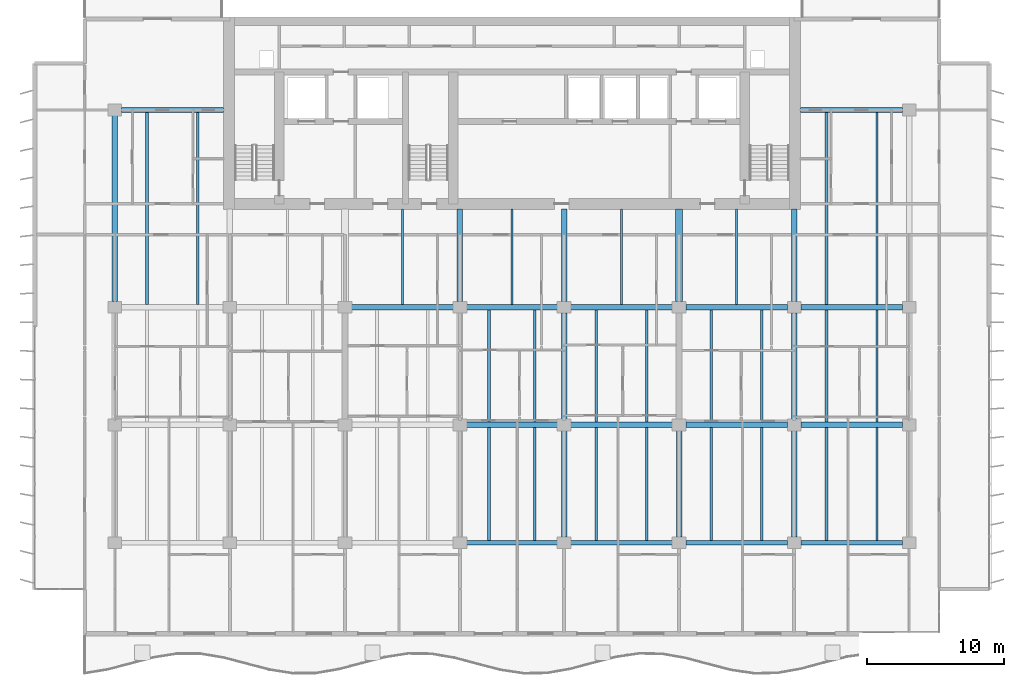
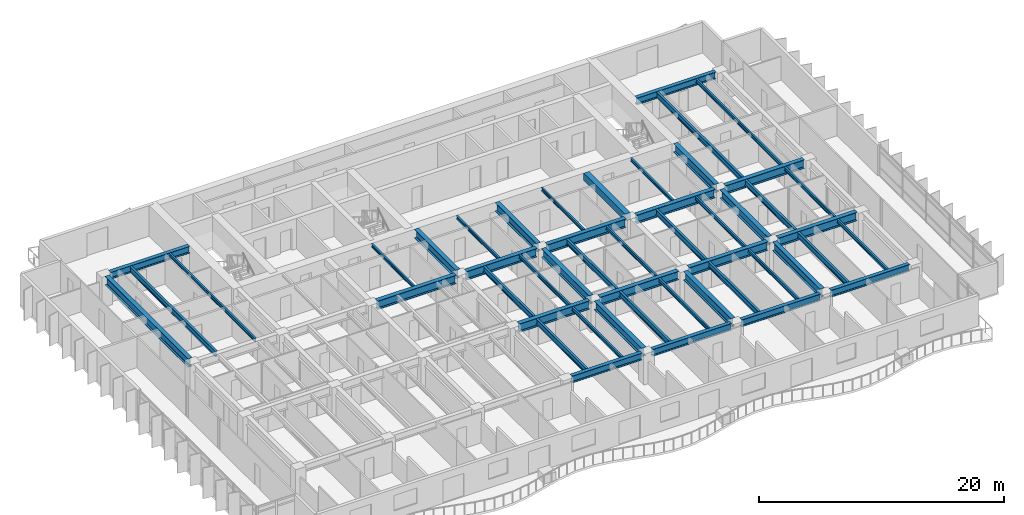
# One storey, part 3 of 18: 49 beams.
"""IFC4 building model written with IfcOpenShell, lengths in metres."""

from ifc_helpers import new_model, si_unit, direction, frame, origin, origin_2d, place, context, subcontext, project, spatial, rectangle, i_section, extrude, material, material_profile, profile_set, type_object, element, save


model = new_model("IFC4")

# Units and contexts
model_context = context("Model", 3, precision=1e-05, world=origin(), true_north=direction((0.0, 1.0)))
body_context = subcontext(model_context, "Body", "Model", "MODEL_VIEW")
ifc_project = project(units=[si_unit("LENGTHUNIT", "METRE"), si_unit("AREAUNIT", "SQUARE_METRE"), si_unit("VOLUMEUNIT", "CUBIC_METRE"), si_unit("PLANEANGLEUNIT", "RADIAN"), si_unit("MASSUNIT", "GRAM", prefix="KILO")], contexts=[model_context])

# Site, building, storey
site_placement = place(None, origin())
site = spatial("IfcSite", under=ifc_project, at=site_placement, CompositionType="ELEMENT")
building_placement = place(site_placement, origin())
building = spatial("IfcBuilding", under=site, at=building_placement, Name="Caelmar Bay Residences", CompositionType="ELEMENT")
storey_placement = place(building_placement, frame((0.0, 0.0, 125.699951171875)))
storey = spatial("IfcBuildingStorey", under=building, at=storey_placement, Name="L34", CompositionType="ELEMENT", Elevation=125.699951171875)

# Beams
ifc_material_1 = material(Name="Steel ASTM A992 Grade 50", Category="steel")
ifc_material_profile_1 = material_profile(ifc_material_1, i_section(OverallWidth=0.40087890625, OverallDepth=0.861083984375, WebThickness=0.019775390625, FlangeThickness=0.032470703125, FilletRadius=0.017822265625, at=origin_2d()), Name="W33X221")
ifc_profile_set_1 = profile_set([ifc_material_profile_1], Name="Steel ASTM A992 Grade 50")
beam_type_1 = type_object("IfcBeamType", Name="BM-GRD-W33X221", PredefinedType="BEAM", material=ifc_profile_set_1)
beam_1_placement = place(storey_placement, frame((35.590087890625, 20.800048828125, 2.61962890625), z_axis=(1.0, 0.0, 0.0), x_axis=(0.0, 1.0, 0.0)))
element("IfcBeam", 1, at=beam_1_placement, inside=storey, type_object=beam_type_1, Name="L34 East-West Girder Y=20.80 (35.1-42.7)", PredefinedType="BEAM", context=body_context, shape_type="SweptSolid", body=[
    extrude(i_section(OverallWidth=0.40087890625, OverallDepth=0.861083984375, WebThickness=0.019775390625, FlangeThickness=0.032470703125, FilletRadius=0.017822265625, at=origin_2d()), origin(), (0.0, 0.0, 1.0), 6.619873046875),
])
beam_2_placement = place(storey_placement, frame((43.18994140625, 20.800048828125, 2.61962890625), z_axis=(1.0, 0.0, 0.0), x_axis=(0.0, 1.0, 0.0)))
element("IfcBeam", 2, at=beam_2_placement, inside=storey, type_object=beam_type_1, Name="L34 East-West Girder Y=20.80 (42.7-51.1)", PredefinedType="BEAM", context=body_context, shape_type="SweptSolid", body=[
    extrude(i_section(OverallWidth=0.40087890625, OverallDepth=0.861083984375, WebThickness=0.019775390625, FlangeThickness=0.032470703125, FilletRadius=0.017822265625, at=origin_2d()), origin(), (0.0, 0.0, 1.0), 7.420166015625),
])
for number, where, z_axis, x_axis, name in (
    (3, (51.590087890625, 20.800048828125, 2.61962890625), (1.0, 0.0, 0.0), (0.0, 1.0, 0.0), "L34 East-West Girder Y=20.80 (51.1-59.5)"),
    (4, (59.989990234375, 20.800048828125, 2.61962890625), (1.0, 0.0, 0.0), (0.0, 1.0, 0.0), "L34 East-West Girder Y=20.80 (59.5-67.9)"),
):
    element("IfcBeam", number, at=place(storey_placement, frame(where, z_axis=z_axis, x_axis=x_axis)), inside=storey, type_object=beam_type_1, Name=name, PredefinedType="BEAM", context=body_context, shape_type="SweptSolid", body=[
        extrude(i_section(OverallWidth=0.40087890625, OverallDepth=0.861083984375, WebThickness=0.019775390625, FlangeThickness=0.032470703125, FilletRadius=0.017822265625, at=origin_2d()), origin(), (0.0, 0.0, 1.0), 7.419921875),
    ])
beam_3_placement = place(storey_placement, frame((27.18994140625, 29.39990234375, 2.61962890625), z_axis=(1.0, 0.0, 0.0), x_axis=(0.0, 1.0, 0.0)))
element("IfcBeam", 5, at=beam_3_placement, inside=storey, type_object=beam_type_1, Name="L34 East-West Girder Y=29.40 (26.7-35.1)", PredefinedType="BEAM", context=body_context, shape_type="SweptSolid", body=[
    extrude(i_section(OverallWidth=0.40087890625, OverallDepth=0.861083984375, WebThickness=0.019775390625, FlangeThickness=0.032470703125, FilletRadius=0.017822265625, at=origin_2d()), origin(), (0.0, 0.0, 1.0), 7.420166015625),
])
beam_4_placement = place(storey_placement, frame((35.590087890625, 29.39990234375, 2.61962890625), z_axis=(1.0, 0.0, 0.0), x_axis=(0.0, 1.0, 0.0)))
element("IfcBeam", 6, at=beam_4_placement, inside=storey, type_object=beam_type_1, Name="L34 East-West Girder Y=29.40 (35.1-42.7)", PredefinedType="BEAM", context=body_context, shape_type="SweptSolid", body=[
    extrude(i_section(OverallWidth=0.40087890625, OverallDepth=0.861083984375, WebThickness=0.019775390625, FlangeThickness=0.032470703125, FilletRadius=0.017822265625, at=origin_2d()), origin(), (0.0, 0.0, 1.0), 6.619873046875),
])
beam_5_placement = place(storey_placement, frame((43.18994140625, 29.39990234375, 2.61962890625), z_axis=(1.0, 0.0, 0.0), x_axis=(0.0, 1.0, 0.0)))
element("IfcBeam", 7, at=beam_5_placement, inside=storey, type_object=beam_type_1, Name="L34 East-West Girder Y=29.40 (42.7-51.1)", PredefinedType="BEAM", context=body_context, shape_type="SweptSolid", body=[
    extrude(i_section(OverallWidth=0.40087890625, OverallDepth=0.861083984375, WebThickness=0.019775390625, FlangeThickness=0.032470703125, FilletRadius=0.017822265625, at=origin_2d()), origin(), (0.0, 0.0, 1.0), 7.420166015625),
])
for number, where, z_axis, x_axis, name in (
    (8, (51.590087890625, 29.39990234375, 2.61962890625), (1.0, 0.0, 0.0), (0.0, 1.0, 0.0), "L34 East-West Girder Y=29.40 (51.1-59.5)"),
    (9, (59.989990234375, 29.39990234375, 2.61962890625), (1.0, 0.0, 0.0), (0.0, 1.0, 0.0), "L34 East-West Girder Y=29.40 (59.5-67.9)"),
):
    element("IfcBeam", number, at=place(storey_placement, frame(where, z_axis=z_axis, x_axis=x_axis)), inside=storey, type_object=beam_type_1, Name=name, PredefinedType="BEAM", context=body_context, shape_type="SweptSolid", body=[
        extrude(i_section(OverallWidth=0.40087890625, OverallDepth=0.861083984375, WebThickness=0.019775390625, FlangeThickness=0.032470703125, FilletRadius=0.017822265625, at=origin_2d()), origin(), (0.0, 0.0, 1.0), 7.419921875),
    ])
beam_6_placement = place(storey_placement, frame((9.89990234375, 29.81494140625, 2.61962890625), z_axis=(0.0, 1.0, 0.0), x_axis=(-1.0, 0.0, 0.0)))
element("IfcBeam", 10, at=beam_6_placement, inside=storey, type_object=beam_type_1, Name="L34 North-South Girder X=9.90 (29.4-43.8)", PredefinedType="BEAM", context=body_context, shape_type="SweptSolid", body=[
    extrude(i_section(OverallWidth=0.40087890625, OverallDepth=0.861083984375, WebThickness=0.019775390625, FlangeThickness=0.032470703125, FilletRadius=0.017822265625, at=origin_2d()), origin(), (0.0, 0.0, 1.0), 13.570068359375),
])
for number, where, z_axis, x_axis, name in (
    (11, (35.10009765625, 29.81494140625, 2.61962890625), (0.0, 1.0, 0.0), (-1.0, 0.0, 0.0), "L34 Core Tie Girder X=35.10"),
    (12, (42.699951171875, 29.81494140625, 2.61962890625), (0.0, 1.0, 0.0), (-1.0, 0.0, 0.0), "L34 Core Tie Girder X=42.70"),
):
    element("IfcBeam", number, at=place(storey_placement, frame(where, z_axis=z_axis, x_axis=x_axis)), inside=storey, type_object=beam_type_1, Name=name, PredefinedType="BEAM", context=body_context, shape_type="SweptSolid", body=[
        extrude(i_section(OverallWidth=0.40087890625, OverallDepth=0.861083984375, WebThickness=0.019775390625, FlangeThickness=0.032470703125, FilletRadius=0.017822265625, at=origin_2d()), origin(), (0.0, 0.0, 1.0), 6.735107421875),
    ])
for number, where, z_axis, x_axis, name in (
    (13, (42.699951171875, 12.614990234375, 2.61962890625), (0.0, 1.0, 0.0), (-1.0, 0.0, 0.0), "L34 North-South Girder X=42.70 (12.2-20.8)"),
    (14, (42.699951171875, 21.215087890625, 2.61962890625), (0.0, 1.0, 0.0), (-1.0, 0.0, 0.0), "L34 North-South Girder X=42.70 (20.8-29.4)"),
    (15, (51.10009765625, 12.614990234375, 2.61962890625), (0.0, 1.0, 0.0), (-1.0, 0.0, 0.0), "L34 North-South Girder X=51.10 (12.2-20.8)"),
):
    element("IfcBeam", number, at=place(storey_placement, frame(where, z_axis=z_axis, x_axis=x_axis)), inside=storey, type_object=beam_type_1, Name=name, PredefinedType="BEAM", context=body_context, shape_type="SweptSolid", body=[
        extrude(i_section(OverallWidth=0.40087890625, OverallDepth=0.861083984375, WebThickness=0.019775390625, FlangeThickness=0.032470703125, FilletRadius=0.017822265625, at=origin_2d()), origin(), (0.0, 0.0, 1.0), 7.77001953125),
    ])
beam_7_placement = place(storey_placement, frame((59.5, 29.81494140625, 2.61962890625), z_axis=(0.0, 1.0, 0.0), x_axis=(-1.0, 0.0, 0.0)))
element("IfcBeam", 16, at=beam_7_placement, inside=storey, type_object=beam_type_1, Name="L34 Core Tie Girder X=59.50", PredefinedType="BEAM", context=body_context, shape_type="SweptSolid", body=[
    extrude(i_section(OverallWidth=0.40087890625, OverallDepth=0.861083984375, WebThickness=0.019775390625, FlangeThickness=0.032470703125, FilletRadius=0.017822265625, at=origin_2d()), origin(), (0.0, 0.0, 1.0), 6.735107421875),
])
for number, where, z_axis, x_axis, name in (
    (17, (59.5, 12.614990234375, 2.61962890625), (0.0, 1.0, 0.0), (-1.0, 0.0, 0.0), "L34 North-South Girder X=59.50 (12.2-20.8)"),
    (18, (59.5, 21.215087890625, 2.61962890625), (0.0, 1.0, 0.0), (-1.0, 0.0, 0.0), "L34 North-South Girder X=59.50 (20.8-29.4)"),
):
    element("IfcBeam", number, at=place(storey_placement, frame(where, z_axis=z_axis, x_axis=x_axis)), inside=storey, type_object=beam_type_1, Name=name, PredefinedType="BEAM", context=body_context, shape_type="SweptSolid", body=[
        extrude(i_section(OverallWidth=0.40087890625, OverallDepth=0.861083984375, WebThickness=0.019775390625, FlangeThickness=0.032470703125, FilletRadius=0.017822265625, at=origin_2d()), origin(), (0.0, 0.0, 1.0), 7.77001953125),
    ])
ifc_material_profile_2 = material_profile(ifc_material_1, i_section(OverallWidth=0.1650390625, OverallDepth=0.31005859375, WebThickness=0.005859375, FlangeThickness=0.009765625, FilletRadius=0.007568359375, at=origin_2d()), Name="W12X26")
ifc_profile_set_2 = profile_set([ifc_material_profile_2], Name="Steel ASTM A992 Grade 50")
beam_type_2 = type_object("IfcBeamType", Name="BM-JST-W12X26", PredefinedType="JOIST", material=ifc_profile_set_2)
for number, where, z_axis, x_axis, name in (
    (19, (30.89990234375, 29.6005859375, 2.89501953125), (0.0, 1.0, 0.0), (-1.0, 0.0, 0.0), "L34 Core-Band Composite Joist 30"),
    (20, (38.89990234375, 29.6005859375, 2.89501953125), (0.0, 1.0, 0.0), (-1.0, 0.0, 0.0), "L34 Core-Band Composite Joist 31"),
    (21, (46.89990234375, 29.6005859375, 2.89501953125), (0.0, 1.0, 0.0), (-1.0, 0.0, 0.0), "L34 Core-Band Composite Joist 32"),
    (22, (55.300048828125, 29.6005859375, 2.89501953125), (0.0, 1.0, 0.0), (-1.0, 0.0, 0.0), "L34 Core-Band Composite Joist 33"),
):
    element("IfcBeam", number, at=place(storey_placement, frame(where, z_axis=z_axis, x_axis=x_axis)), inside=storey, type_object=beam_type_2, Name=name, PredefinedType="JOIST", context=body_context, shape_type="SweptSolid", body=[
        extrude(i_section(OverallWidth=0.1650390625, OverallDepth=0.31005859375, WebThickness=0.005859375, FlangeThickness=0.009765625, FilletRadius=0.007568359375, at=origin_2d()), origin(), (0.0, 0.0, 1.0), 6.949462890625),
    ])
ifc_material_profile_3 = material_profile(ifc_material_1, i_section(OverallWidth=0.1708984375, OverallDepth=0.35595703125, WebThickness=0.007080078125, FlangeThickness=0.01171875, FilletRadius=0.007568359375, at=origin_2d()), Name="W14X34")
ifc_profile_set_3 = profile_set([ifc_material_profile_3], Name="Steel ASTM A992 Grade 50")
beam_type_3 = type_object("IfcBeamType", Name="BM-JST-W14X34", PredefinedType="JOIST", material=ifc_profile_set_3)
for number, where, z_axis, x_axis, name in (
    (23, (40.572021484375, 12.3779296875, 2.8720703125), (0.0, 1.0, 0.0), (-1.0, 0.0, 0.0), "L34 Composite Floor Joist 8"),
    (24, (48.748046875, 12.3779296875, 2.8720703125), (0.0, 1.0, 0.0), (-1.0, 0.0, 0.0), "L34 Composite Floor Joist 10"),
    (25, (57.14794921875, 12.3779296875, 2.8720703125), (0.0, 1.0, 0.0), (-1.0, 0.0, 0.0), "L34 Composite Floor Joist 12"),
    (26, (65.548095703125, 12.3779296875, 2.8720703125), (0.0, 1.0, 0.0), (-1.0, 0.0, 0.0), "L34 Composite Floor Joist 14"),
):
    element("IfcBeam", number, at=place(storey_placement, frame(where, z_axis=z_axis, x_axis=x_axis)), inside=storey, type_object=beam_type_3, Name=name, PredefinedType="JOIST", context=body_context, shape_type="SweptSolid", body=[
        extrude(i_section(OverallWidth=0.1708984375, OverallDepth=0.35595703125, WebThickness=0.007080078125, FlangeThickness=0.01171875, FilletRadius=0.007568359375, at=origin_2d()), origin(), (0.0, 0.0, 1.0), 8.2216796875),
    ])
for number, where, z_axis, x_axis, name in (
    (27, (40.572021484375, 21.00048828125, 2.8720703125), (0.0, 1.0, 0.0), (-1.0, 0.0, 0.0), "L34 Composite Floor Joist 22"),
    (28, (48.748046875, 21.00048828125, 2.8720703125), (0.0, 1.0, 0.0), (-1.0, 0.0, 0.0), "L34 Composite Floor Joist 24"),
    (29, (57.14794921875, 21.00048828125, 2.8720703125), (0.0, 1.0, 0.0), (-1.0, 0.0, 0.0), "L34 Composite Floor Joist 26"),
    (30, (65.548095703125, 21.00048828125, 2.8720703125), (0.0, 1.0, 0.0), (-1.0, 0.0, 0.0), "L34 Composite Floor Joist 28"),
):
    element("IfcBeam", number, at=place(storey_placement, frame(where, z_axis=z_axis, x_axis=x_axis)), inside=storey, type_object=beam_type_3, Name=name, PredefinedType="JOIST", context=body_context, shape_type="SweptSolid", body=[
        extrude(i_section(OverallWidth=0.1708984375, OverallDepth=0.35595703125, WebThickness=0.007080078125, FlangeThickness=0.01171875, FilletRadius=0.007568359375, at=origin_2d()), origin(), (0.0, 0.0, 1.0), 8.198974609375),
    ])
for number, where, z_axis, x_axis, name in (
    (31, (15.947998046875, 29.6005859375, 2.8720703125), (0.0, 1.0, 0.0), (-1.0, 0.0, 0.0), "L34 Composite Floor Joist 35"),
    (32, (65.548095703125, 29.6005859375, 2.8720703125), (0.0, 1.0, 0.0), (-1.0, 0.0, 0.0), "L34 Composite Floor Joist 37"),
):
    element("IfcBeam", number, at=place(storey_placement, frame(where, z_axis=z_axis, x_axis=x_axis)), inside=storey, type_object=beam_type_3, Name=name, PredefinedType="JOIST", context=body_context, shape_type="SweptSolid", body=[
        extrude(i_section(OverallWidth=0.1708984375, OverallDepth=0.35595703125, WebThickness=0.007080078125, FlangeThickness=0.01171875, FilletRadius=0.007568359375, at=origin_2d()), origin(), (0.0, 0.0, 1.0), 14.021484375),
    ])
ifc_material_profile_4 = material_profile(ifc_material_1, i_section(OverallWidth=0.214111328125, OverallDepth=0.549072265625, WebThickness=0.0146484375, FlangeThickness=0.023681640625, FilletRadius=0.0126953125, at=origin_2d()), Name="W21X93")
ifc_profile_set_4 = profile_set([ifc_material_profile_4], Name="Steel ASTM A992 Grade 50")
beam_type_4 = type_object("IfcBeamType", Name="BM-JST-W21X93", PredefinedType="JOIST", material=ifc_profile_set_4)
for number, where, z_axis, x_axis, name in (
    (33, (37.22802734375, 12.3779296875, 2.775634765625), (0.0, 1.0, 0.0), (-1.0, 0.0, 0.0), "L34 Composite Floor Joist 7"),
    (34, (45.052001953125, 12.3779296875, 2.775634765625), (0.0, 1.0, 0.0), (-1.0, 0.0, 0.0), "L34 Composite Floor Joist 9"),
    (35, (53.451904296875, 12.3779296875, 2.775634765625), (0.0, 1.0, 0.0), (-1.0, 0.0, 0.0), "L34 Composite Floor Joist 11"),
    (36, (61.85205078125, 12.3779296875, 2.775634765625), (0.0, 1.0, 0.0), (-1.0, 0.0, 0.0), "L34 Composite Floor Joist 13"),
):
    element("IfcBeam", number, at=place(storey_placement, frame(where, z_axis=z_axis, x_axis=x_axis)), inside=storey, type_object=beam_type_4, Name=name, PredefinedType="JOIST", context=body_context, shape_type="SweptSolid", body=[
        extrude(i_section(OverallWidth=0.214111328125, OverallDepth=0.549072265625, WebThickness=0.0146484375, FlangeThickness=0.023681640625, FilletRadius=0.0126953125, at=origin_2d()), origin(), (0.0, 0.0, 1.0), 8.2216796875),
    ])
for number, where, z_axis, x_axis, name in (
    (37, (37.22802734375, 21.00048828125, 2.775634765625), (0.0, 1.0, 0.0), (-1.0, 0.0, 0.0), "L34 Composite Floor Joist 21"),
    (38, (45.052001953125, 21.00048828125, 2.775634765625), (0.0, 1.0, 0.0), (-1.0, 0.0, 0.0), "L34 Composite Floor Joist 23"),
    (39, (53.451904296875, 21.00048828125, 2.775634765625), (0.0, 1.0, 0.0), (-1.0, 0.0, 0.0), "L34 Composite Floor Joist 25"),
    (40, (61.85205078125, 21.00048828125, 2.775634765625), (0.0, 1.0, 0.0), (-1.0, 0.0, 0.0), "L34 Composite Floor Joist 27"),
):
    element("IfcBeam", number, at=place(storey_placement, frame(where, z_axis=z_axis, x_axis=x_axis)), inside=storey, type_object=beam_type_4, Name=name, PredefinedType="JOIST", context=body_context, shape_type="SweptSolid", body=[
        extrude(i_section(OverallWidth=0.214111328125, OverallDepth=0.549072265625, WebThickness=0.0146484375, FlangeThickness=0.023681640625, FilletRadius=0.0126953125, at=origin_2d()), origin(), (0.0, 0.0, 1.0), 8.198974609375),
    ])
for number, where, z_axis, x_axis, name in (
    (41, (12.251953125, 29.6005859375, 2.775634765625), (0.0, 1.0, 0.0), (-1.0, 0.0, 0.0), "L34 Composite Floor Joist 34"),
    (42, (61.85205078125, 29.6005859375, 2.775634765625), (0.0, 1.0, 0.0), (-1.0, 0.0, 0.0), "L34 Composite Floor Joist 36"),
):
    element("IfcBeam", number, at=place(storey_placement, frame(where, z_axis=z_axis, x_axis=x_axis)), inside=storey, type_object=beam_type_4, Name=name, PredefinedType="JOIST", context=body_context, shape_type="SweptSolid", body=[
        extrude(i_section(OverallWidth=0.214111328125, OverallDepth=0.549072265625, WebThickness=0.0146484375, FlangeThickness=0.023681640625, FilletRadius=0.0126953125, at=origin_2d()), origin(), (0.0, 0.0, 1.0), 14.021484375),
    ])
ifc_material_2 = material(Name="Concrete f'c 55 MPa (8,000 psi)", Category="concrete")
ifc_material_profile_5 = material_profile(ifc_material_2, rectangle(XDim=0.5, YDim=0.699951171875, at=origin_2d()), Name="RC-BM-500X700")
ifc_profile_set_5 = profile_set([ifc_material_profile_5], Name="Concrete f'c 55 MPa (8,000 psi)")
beam_type_5 = type_object("IfcBeamType", Name="BM-RC-500X700", PredefinedType="LINTEL", material=ifc_profile_set_5)
beam_8_placement = place(storey_placement, frame((51.10009765625, 29.81494140625, 2.699951171875), z_axis=(0.0, 1.0, 0.0), x_axis=(-1.0, 0.0, 0.0)))
element("IfcBeam", 43, at=beam_8_placement, inside=storey, type_object=beam_type_5, Name="L34 Shear-Wall Corridor Coupling Lintel E8", PredefinedType="LINTEL", context=body_context, shape_type="SweptSolid", body=[
    extrude(rectangle(XDim=0.5, YDim=0.699951171875, at=origin_2d()), origin(), (0.0, 0.0, 1.0), 6.735107421875),
])
ifc_material_profile_6 = material_profile(ifc_material_1, i_section(OverallWidth=0.35595703125, OverallDepth=0.696044921875, WebThickness=0.015380859375, FlangeThickness=0.02490234375, FilletRadius=0.01513671875, at=origin_2d()), Name="W27X146")
ifc_profile_set_6 = profile_set([ifc_material_profile_6], Name="Steel ASTM A992 Grade 50")
beam_type_6 = type_object("IfcBeamType", Name="BM-SPN-W27X146", PredefinedType="SPANDREL", material=ifc_profile_set_6)
beam_9_placement = place(storey_placement, frame((35.590087890625, 12.199951171875, 2.7021484375), z_axis=(1.0, 0.0, 0.0), x_axis=(0.0, 1.0, 0.0)))
element("IfcBeam", 44, at=beam_9_placement, inside=storey, type_object=beam_type_6, Name="L34 East-West Girder Y=12.20 (35.1-42.7)", PredefinedType="SPANDREL", context=body_context, shape_type="SweptSolid", body=[
    extrude(i_section(OverallWidth=0.35595703125, OverallDepth=0.696044921875, WebThickness=0.015380859375, FlangeThickness=0.02490234375, FilletRadius=0.01513671875, at=origin_2d()), origin(), (0.0, 0.0, 1.0), 6.619873046875),
])
beam_10_placement = place(storey_placement, frame((43.18994140625, 12.199951171875, 2.7021484375), z_axis=(1.0, 0.0, 0.0), x_axis=(0.0, 1.0, 0.0)))
element("IfcBeam", 45, at=beam_10_placement, inside=storey, type_object=beam_type_6, Name="L34 East-West Girder Y=12.20 (42.7-51.1)", PredefinedType="SPANDREL", context=body_context, shape_type="SweptSolid", body=[
    extrude(i_section(OverallWidth=0.35595703125, OverallDepth=0.696044921875, WebThickness=0.015380859375, FlangeThickness=0.02490234375, FilletRadius=0.01513671875, at=origin_2d()), origin(), (0.0, 0.0, 1.0), 7.420166015625),
])
for number, where, z_axis, x_axis, name in (
    (46, (51.590087890625, 12.199951171875, 2.7021484375), (1.0, 0.0, 0.0), (0.0, 1.0, 0.0), "L34 East-West Girder Y=12.20 (51.1-59.5)"),
    (47, (59.989990234375, 12.199951171875, 2.7021484375), (1.0, 0.0, 0.0), (0.0, 1.0, 0.0), "L34 East-West Girder Y=12.20 (59.5-67.9)"),
):
    element("IfcBeam", number, at=place(storey_placement, frame(where, z_axis=z_axis, x_axis=x_axis)), inside=storey, type_object=beam_type_6, Name=name, PredefinedType="SPANDREL", context=body_context, shape_type="SweptSolid", body=[
        extrude(i_section(OverallWidth=0.35595703125, OverallDepth=0.696044921875, WebThickness=0.015380859375, FlangeThickness=0.02490234375, FilletRadius=0.01513671875, at=origin_2d()), origin(), (0.0, 0.0, 1.0), 7.419921875),
    ])
beam_11_placement = place(storey_placement, frame((10.389892578125, 43.800048828125, 2.7021484375), z_axis=(1.0, 0.0, 0.0), x_axis=(0.0, 1.0, 0.0)))
element("IfcBeam", 48, at=beam_11_placement, inside=storey, type_object=beam_type_6, Name="L34 North-West Wing Core Tie Girder", PredefinedType="SPANDREL", context=body_context, shape_type="SweptSolid", body=[
    extrude(i_section(OverallWidth=0.35595703125, OverallDepth=0.696044921875, WebThickness=0.015380859375, FlangeThickness=0.02490234375, FilletRadius=0.01513671875, at=origin_2d()), origin(), (0.0, 0.0, 1.0), 7.460205078125),
])
beam_12_placement = place(storey_placement, frame((59.949951171875, 43.800048828125, 2.7021484375), z_axis=(1.0, 0.0, 0.0), x_axis=(0.0, 1.0, 0.0)))
element("IfcBeam", 49, at=beam_12_placement, inside=storey, type_object=beam_type_6, Name="L34 North-East Wing Core Tie Girder", PredefinedType="SPANDREL", context=body_context, shape_type="SweptSolid", body=[
    extrude(i_section(OverallWidth=0.35595703125, OverallDepth=0.696044921875, WebThickness=0.015380859375, FlangeThickness=0.02490234375, FilletRadius=0.01513671875, at=origin_2d()), origin(), (0.0, 0.0, 1.0), 7.4599609375),
])

save(model, "model.ifc")
